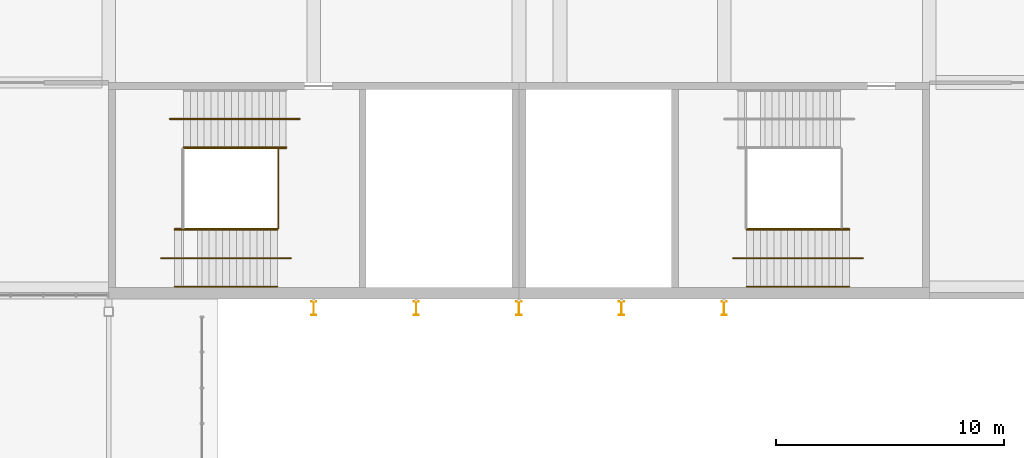
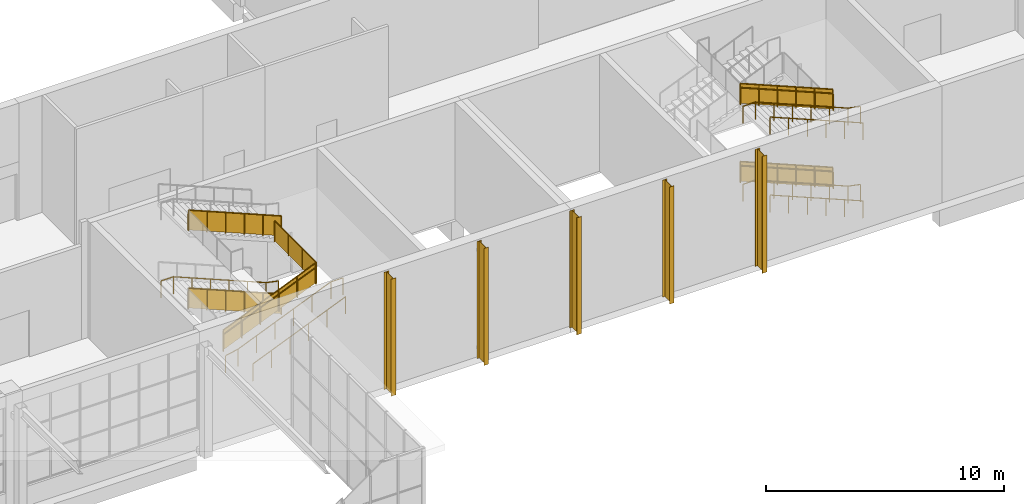
# One storey, part 73 of 89: 18 railings, 5 shading devices.
"""IFC4 building model written with IfcOpenShell, lengths in metres."""

from ifc_helpers import new_model, si_unit, direction, frame, origin, origin_2d, place, context, subcontext, project, spatial, polyline, circle, i_section, outline, extrude, material, material_profile, profile_set, type_object, element, save


model = new_model("IFC4")

# Units and contexts
model_context = context("Model", 3, precision=1e-05, world=origin(), true_north=direction((0.0, 1.0)))
body_context = subcontext(model_context, "Body", "Model", "MODEL_VIEW")
ifc_project = project(units=[si_unit("LENGTHUNIT", "METRE"), si_unit("AREAUNIT", "SQUARE_METRE"), si_unit("VOLUMEUNIT", "CUBIC_METRE"), si_unit("PLANEANGLEUNIT", "RADIAN"), si_unit("MASSUNIT", "GRAM", prefix="KILO")], contexts=[model_context])

# Site, building, storey
site_placement = place(None, origin())
site = spatial("IfcSite", under=ifc_project, at=site_placement, CompositionType="ELEMENT")
building_placement = place(site_placement, origin())
building = spatial("IfcBuilding", under=site, at=building_placement, Name="Silverbay Arena", CompositionType="ELEMENT")
storey_placement = place(building_placement, frame((0.0, 0.0, 22.0)))
storey = spatial("IfcBuildingStorey", under=building, at=storey_placement, Name="L03", CompositionType="ELEMENT", Elevation=22.0)

# Railings
ifc_material_1 = material(Name="Stainless steel", Category="steel")
railing_type_1 = type_object("IfcRailingType", Name="Stair guard 1100", PredefinedType="GUARDRAIL", material=ifc_material_1)
railing_1_placement = place(storey_placement, frame((151.7900390625, 24.125, 0.125)))
element("IfcRailing", 1, at=railing_1_placement, inside=storey, type_object=railing_type_1, Name="Stair ST-S3 L03 to L04 flight 1 guard right", PredefinedType="GUARDRAIL", context=body_context, shape_type="SweptSolid", body=[
    extrude(circle(Radius=0.02392578125, at=origin_2d()), frame((0.0, 0.0, 1.076171875), z_axis=(-0.923076923077, 0.0, 0.384615384615), x_axis=(0.0, -1.0, 0.0)), (0.0, 0.0, 1.0), 4.875),
    extrude(outline(polyline([(-0.008056640625, 0.046630859375), (0.907958984375, 0.42822265625), (0.907958984375, 1.431396484375), (-0.008056640625, 1.049560546875), (-0.008056640625, 0.046630859375)])), frame((0.0, -0.0029296875, 0.0), z_axis=(0.0, 1.0, 0.0), x_axis=(-1.0, 0.0, 0.0)), (0.0, 0.0, 1.0), 0.006103515625),
    extrude(outline(polyline([(-0.008056640625, 0.421630859375), (0.907958984375, 0.80322265625), (0.907958984375, 1.806396484375), (-0.008056640625, 1.424560546875), (-0.008056640625, 0.421630859375)])), frame((-0.89990234375, -0.0029296875, 0.0), z_axis=(0.0, 1.0, 0.0), x_axis=(-1.0, 0.0, 0.0)), (0.0, 0.0, 1.0), 0.006103515625),
    extrude(outline(polyline([(-0.008056640625, 0.796630859375), (0.907958984375, 1.17822265625), (0.907958984375, 2.181396484375), (-0.008056640625, 1.799560546875), (-0.008056640625, 0.796630859375)])), frame((-1.800048828125, -0.0029296875, 0.0), z_axis=(0.0, 1.0, 0.0), x_axis=(-1.0, 0.0, 0.0)), (0.0, 0.0, 1.0), 0.006103515625),
    extrude(outline(polyline([(-0.008056640625, 1.171630859375), (0.907958984375, 1.55322265625), (0.907958984375, 2.556396484375), (-0.008056640625, 2.174560546875), (-0.008056640625, 1.171630859375)])), frame((-2.699951171875, -0.0029296875, 0.0), z_axis=(0.0, 1.0, 0.0), x_axis=(-1.0, 0.0, 0.0)), (0.0, 0.0, 1.0), 0.006103515625),
    extrude(outline(polyline([(-0.008056640625, 1.546630859375), (0.907958984375, 1.92822265625), (0.907958984375, 2.931396484375), (-0.008056640625, 2.549560546875), (-0.008056640625, 1.546630859375)])), frame((-3.60009765625, -0.0029296875, 0.0), z_axis=(0.0, 1.0, 0.0), x_axis=(-1.0, 0.0, 0.0)), (0.0, 0.0, 1.0), 0.006103515625),
    extrude(circle(Radius=0.02099609375, at=origin_2d()), origin(), (0.0, 0.0, 1.0), 1.052001953125),
    extrude(circle(Radius=0.02099609375, at=origin_2d()), frame((-0.89990234375, 0.0, 0.375)), (0.0, 0.0, 1.0), 1.052001953125),
    extrude(circle(Radius=0.02099609375, at=origin_2d()), frame((-1.800048828125, 0.0, 0.75)), (0.0, 0.0, 1.0), 1.052001953125),
    extrude(circle(Radius=0.02099609375, at=origin_2d()), frame((-2.699951171875, 0.0, 1.125)), (0.0, 0.0, 1.0), 1.052001953125),
    extrude(circle(Radius=0.02099609375, at=origin_2d()), frame((-3.60009765625, 0.0, 1.5)), (0.0, 0.0, 1.0), 1.052001953125),
    extrude(circle(Radius=0.02099609375, at=origin_2d()), frame((-4.5, 0.0, 1.875)), (0.0, 0.0, 1.0), 1.052001953125),
])
railing_2_placement = place(storey_placement, frame((146.89990234375, 20.574951171875, 2.125)))
element("IfcRailing", 2, at=railing_2_placement, inside=storey, type_object=railing_type_1, Name="Stair ST-S3 L03 to L04 flight 2 guard left", PredefinedType="GUARDRAIL", context=body_context, shape_type="SweptSolid", body=[
    extrude(circle(Radius=0.02392578125, at=origin_2d()), frame((0.0, 0.0, 1.076171875), z_axis=(0.923076923077, 0.0, 0.384615384615), x_axis=(0.0, 1.0, 0.0)), (0.0, 0.0, 1.0), 4.875),
    extrude(outline(polyline([(-0.008056640625, 0.046630859375), (0.907958984375, 0.42822265625), (0.907958984375, 1.431396484375), (-0.008056640625, 1.049560546875), (-0.008056640625, 0.046630859375)])), frame((0.0, 0.0029296875, 0.0), z_axis=(0.0, -1.0, 0.0), x_axis=(1.0, 0.0, 0.0)), (0.0, 0.0, 1.0), 0.006103515625),
    extrude(outline(polyline([(-0.008056640625, 0.421630859375), (0.907958984375, 0.80322265625), (0.907958984375, 1.806396484375), (-0.008056640625, 1.424560546875), (-0.008056640625, 0.421630859375)])), frame((0.89990234375, 0.0029296875, 0.0), z_axis=(0.0, -1.0, 0.0), x_axis=(1.0, 0.0, 0.0)), (0.0, 0.0, 1.0), 0.006103515625),
    extrude(outline(polyline([(-0.008056640625, 0.796630859375), (0.907958984375, 1.17822265625), (0.907958984375, 2.181396484375), (-0.008056640625, 1.799560546875), (-0.008056640625, 0.796630859375)])), frame((1.800048828125, 0.0029296875, 0.0), z_axis=(0.0, -1.0, 0.0), x_axis=(1.0, 0.0, 0.0)), (0.0, 0.0, 1.0), 0.006103515625),
    extrude(outline(polyline([(-0.008056640625, 1.171630859375), (0.907958984375, 1.55322265625), (0.907958984375, 2.556396484375), (-0.008056640625, 2.174560546875), (-0.008056640625, 1.171630859375)])), frame((2.699951171875, 0.0029296875, 0.0), z_axis=(0.0, -1.0, 0.0), x_axis=(1.0, 0.0, 0.0)), (0.0, 0.0, 1.0), 0.006103515625),
    extrude(outline(polyline([(-0.008056640625, 1.546630859375), (0.907958984375, 1.92822265625), (0.907958984375, 2.931396484375), (-0.008056640625, 2.549560546875), (-0.008056640625, 1.546630859375)])), frame((3.60009765625, 0.0029296875, 0.0), z_axis=(0.0, -1.0, 0.0), x_axis=(1.0, 0.0, 0.0)), (0.0, 0.0, 1.0), 0.006103515625),
    extrude(circle(Radius=0.02099609375, at=origin_2d()), origin(), (0.0, 0.0, 1.0), 1.052001953125),
    extrude(circle(Radius=0.02099609375, at=origin_2d()), frame((0.89990234375, 0.0, 0.375)), (0.0, 0.0, 1.0), 1.052001953125),
    extrude(circle(Radius=0.02099609375, at=origin_2d()), frame((1.800048828125, 0.0, 0.75)), (0.0, 0.0, 1.0), 1.052001953125),
    extrude(circle(Radius=0.02099609375, at=origin_2d()), frame((2.699951171875, 0.0, 1.125)), (0.0, 0.0, 1.0), 1.052001953125),
    extrude(circle(Radius=0.02099609375, at=origin_2d()), frame((3.60009765625, 0.0, 1.5)), (0.0, 0.0, 1.0), 1.052001953125),
    extrude(circle(Radius=0.02099609375, at=origin_2d()), frame((4.5, 0.0, 1.875)), (0.0, 0.0, 1.0), 1.052001953125),
])
railing_3_placement = place(storey_placement, frame((151.7900390625, 24.125, 4.125)))
element("IfcRailing", 3, at=railing_3_placement, inside=storey, type_object=railing_type_1, Name="Stair ST-S3 L03 to L04 flight 3 guard right", PredefinedType="GUARDRAIL", context=body_context, shape_type="SweptSolid", body=[
    extrude(circle(Radius=0.02392578125, at=origin_2d()), frame((0.0, 0.0, 1.076171875), z_axis=(-0.923076923077, 0.0, 0.384615384615), x_axis=(0.0, -1.0, 0.0)), (0.0, 0.0, 1.0), 4.875),
    extrude(outline(polyline([(-0.008056640625, 0.046630859375), (0.907958984375, 0.42822265625), (0.907958984375, 1.431396484375), (-0.008056640625, 1.049560546875), (-0.008056640625, 0.046630859375)])), frame((0.0, -0.0029296875, 0.0), z_axis=(0.0, 1.0, 0.0), x_axis=(-1.0, 0.0, 0.0)), (0.0, 0.0, 1.0), 0.006103515625),
    extrude(outline(polyline([(-0.008056640625, 0.421630859375), (0.907958984375, 0.80322265625), (0.907958984375, 1.806396484375), (-0.008056640625, 1.424560546875), (-0.008056640625, 0.421630859375)])), frame((-0.89990234375, -0.0029296875, 0.0), z_axis=(0.0, 1.0, 0.0), x_axis=(-1.0, 0.0, 0.0)), (0.0, 0.0, 1.0), 0.006103515625),
    extrude(outline(polyline([(-0.008056640625, 0.796630859375), (0.907958984375, 1.17822265625), (0.907958984375, 2.181396484375), (-0.008056640625, 1.799560546875), (-0.008056640625, 0.796630859375)])), frame((-1.800048828125, -0.0029296875, 0.0), z_axis=(0.0, 1.0, 0.0), x_axis=(-1.0, 0.0, 0.0)), (0.0, 0.0, 1.0), 0.006103515625),
    extrude(outline(polyline([(-0.008056640625, 1.171630859375), (0.907958984375, 1.55322265625), (0.907958984375, 2.556396484375), (-0.008056640625, 2.174560546875), (-0.008056640625, 1.171630859375)])), frame((-2.699951171875, -0.0029296875, 0.0), z_axis=(0.0, 1.0, 0.0), x_axis=(-1.0, 0.0, 0.0)), (0.0, 0.0, 1.0), 0.006103515625),
    extrude(outline(polyline([(-0.008056640625, 1.546630859375), (0.907958984375, 1.92822265625), (0.907958984375, 2.931396484375), (-0.008056640625, 2.549560546875), (-0.008056640625, 1.546630859375)])), frame((-3.60009765625, -0.0029296875, 0.0), z_axis=(0.0, 1.0, 0.0), x_axis=(-1.0, 0.0, 0.0)), (0.0, 0.0, 1.0), 0.006103515625),
    extrude(circle(Radius=0.02099609375, at=origin_2d()), origin(), (0.0, 0.0, 1.0), 1.052001953125),
    extrude(circle(Radius=0.02099609375, at=origin_2d()), frame((-0.89990234375, 0.0, 0.375)), (0.0, 0.0, 1.0), 1.052001953125),
    extrude(circle(Radius=0.02099609375, at=origin_2d()), frame((-1.800048828125, 0.0, 0.75)), (0.0, 0.0, 1.0), 1.052001953125),
    extrude(circle(Radius=0.02099609375, at=origin_2d()), frame((-2.699951171875, 0.0, 1.125)), (0.0, 0.0, 1.0), 1.052001953125),
    extrude(circle(Radius=0.02099609375, at=origin_2d()), frame((-3.60009765625, 0.0, 1.5)), (0.0, 0.0, 1.0), 1.052001953125),
    extrude(circle(Radius=0.02099609375, at=origin_2d()), frame((-4.5, 0.0, 1.875)), (0.0, 0.0, 1.0), 1.052001953125),
])
railing_4_placement = place(storey_placement, frame((151.449951171875, 24.10009765625, 4.0)))
element("IfcRailing", 4, at=railing_4_placement, inside=storey, type_object=railing_type_1, Name="Stair ST-S3 L03 to L04 landing 2 guard", PredefinedType="GUARDRAIL", context=body_context, shape_type="SweptSolid", body=[
    extrude(circle(Radius=0.02392578125, at=origin_2d()), frame((0.0, 0.0, 1.076171875), z_axis=(0.0, -1.0, 0.0), x_axis=(1.0, 0.0, 0.0)), (0.0, 0.0, 1.0), 3.5),
    extrude(outline(polyline([(-0.008056640625, 0.050048828125), (1.174560546875, 0.050048828125), (1.174560546875, 1.052978515625), (-0.008056640625, 1.052978515625), (-0.008056640625, 0.050048828125)])), frame((0.0029296875, 0.0, 0.0), z_axis=(-1.0, 0.0, 0.0), x_axis=(0.0, -1.0, 0.0)), (0.0, 0.0, 1.0), 0.006103515625),
    extrude(outline(polyline([(-0.008056640625, 0.050048828125), (1.174560546875, 0.050048828125), (1.174560546875, 1.052978515625), (-0.008056640625, 1.052978515625), (-0.008056640625, 0.050048828125)])), frame((0.0029296875, -1.166748046875, 0.0), z_axis=(-1.0, 0.0, 0.0), x_axis=(0.0, -1.0, 0.0)), (0.0, 0.0, 1.0), 0.006103515625),
    extrude(outline(polyline([(-0.008056640625, 0.050048828125), (1.174560546875, 0.050048828125), (1.174560546875, 1.052978515625), (-0.008056640625, 1.052978515625), (-0.008056640625, 0.050048828125)])), frame((0.0029296875, -2.333251953125, 0.0), z_axis=(-1.0, 0.0, 0.0), x_axis=(0.0, -1.0, 0.0)), (0.0, 0.0, 1.0), 0.006103515625),
    extrude(circle(Radius=0.02099609375, at=origin_2d()), origin(), (0.0, 0.0, 1.0), 1.052001953125),
    extrude(circle(Radius=0.02099609375, at=origin_2d()), frame((0.0, -1.166748046875, 0.0)), (0.0, 0.0, 1.0), 1.052001953125),
    extrude(circle(Radius=0.02099609375, at=origin_2d()), frame((0.0, -2.333251953125, 0.0)), (0.0, 0.0, 1.0), 1.052001953125),
    extrude(circle(Radius=0.02099609375, at=origin_2d()), frame((0.0, -3.5, 0.0)), (0.0, 0.0, 1.0), 1.052001953125),
])
railing_5_placement = place(storey_placement, frame((176.489990234375, 20.574951171875, 0.125)))
element("IfcRailing", 5, at=railing_5_placement, inside=storey, type_object=railing_type_1, Name="Stair ST-S4 L03 to L04 flight 1 guard left", PredefinedType="GUARDRAIL", context=body_context, shape_type="SweptSolid", body=[
    extrude(circle(Radius=0.02392578125, at=origin_2d()), frame((0.0, 0.0, 1.076171875), z_axis=(-0.923076923077, 0.0, 0.384615384615), x_axis=(0.0, -1.0, 0.0)), (0.0, 0.0, 1.0), 4.875),
    extrude(outline(polyline([(-0.008056640625, 0.046630859375), (0.907958984375, 0.42822265625), (0.907958984375, 1.431396484375), (-0.008056640625, 1.049560546875), (-0.008056640625, 0.046630859375)])), frame((0.0, -0.0029296875, 0.0), z_axis=(0.0, 1.0, 0.0), x_axis=(-1.0, 0.0, 0.0)), (0.0, 0.0, 1.0), 0.006103515625),
    extrude(outline(polyline([(-0.008056640625, 0.421630859375), (0.907958984375, 0.80322265625), (0.907958984375, 1.806396484375), (-0.008056640625, 1.424560546875), (-0.008056640625, 0.421630859375)])), frame((-0.89990234375, -0.0029296875, 0.0), z_axis=(0.0, 1.0, 0.0), x_axis=(-1.0, 0.0, 0.0)), (0.0, 0.0, 1.0), 0.006103515625),
    extrude(outline(polyline([(-0.008056640625, 0.796630859375), (0.907958984375, 1.17822265625), (0.907958984375, 2.181396484375), (-0.008056640625, 1.799560546875), (-0.008056640625, 0.796630859375)])), frame((-1.800048828125, -0.0029296875, 0.0), z_axis=(0.0, 1.0, 0.0), x_axis=(-1.0, 0.0, 0.0)), (0.0, 0.0, 1.0), 0.006103515625),
    extrude(outline(polyline([(-0.008056640625, 1.171630859375), (0.907958984375, 1.55322265625), (0.907958984375, 2.556396484375), (-0.008056640625, 2.174560546875), (-0.008056640625, 1.171630859375)])), frame((-2.699951171875, -0.0029296875, 0.0), z_axis=(0.0, 1.0, 0.0), x_axis=(-1.0, 0.0, 0.0)), (0.0, 0.0, 1.0), 0.006103515625),
    extrude(outline(polyline([(-0.008056640625, 1.546630859375), (0.907958984375, 1.92822265625), (0.907958984375, 2.931396484375), (-0.008056640625, 2.549560546875), (-0.008056640625, 1.546630859375)])), frame((-3.60009765625, -0.0029296875, 0.0), z_axis=(0.0, 1.0, 0.0), x_axis=(-1.0, 0.0, 0.0)), (0.0, 0.0, 1.0), 0.006103515625),
    extrude(circle(Radius=0.02099609375, at=origin_2d()), origin(), (0.0, 0.0, 1.0), 1.052001953125),
    extrude(circle(Radius=0.02099609375, at=origin_2d()), frame((-0.89990234375, 0.0, 0.375)), (0.0, 0.0, 1.0), 1.052001953125),
    extrude(circle(Radius=0.02099609375, at=origin_2d()), frame((-1.800048828125, 0.0, 0.75)), (0.0, 0.0, 1.0), 1.052001953125),
    extrude(circle(Radius=0.02099609375, at=origin_2d()), frame((-2.699951171875, 0.0, 1.125)), (0.0, 0.0, 1.0), 1.052001953125),
    extrude(circle(Radius=0.02099609375, at=origin_2d()), frame((-3.60009765625, 0.0, 1.5)), (0.0, 0.0, 1.0), 1.052001953125),
    extrude(circle(Radius=0.02099609375, at=origin_2d()), frame((-4.5, 0.0, 1.875)), (0.0, 0.0, 1.0), 1.052001953125),
])
railing_6_placement = place(storey_placement, frame((176.489990234375, 20.574951171875, 4.125)))
element("IfcRailing", 6, at=railing_6_placement, inside=storey, type_object=railing_type_1, Name="Stair ST-S4 L03 to L04 flight 3 guard left", PredefinedType="GUARDRAIL", context=body_context, shape_type="SweptSolid", body=[
    extrude(circle(Radius=0.02392578125, at=origin_2d()), frame((0.0, 0.0, 1.076171875), z_axis=(-0.923076923077, 0.0, 0.384615384615), x_axis=(0.0, -1.0, 0.0)), (0.0, 0.0, 1.0), 4.875),
    extrude(outline(polyline([(-0.008056640625, 0.046630859375), (0.907958984375, 0.42822265625), (0.907958984375, 1.431396484375), (-0.008056640625, 1.049560546875), (-0.008056640625, 0.046630859375)])), frame((0.0, -0.0029296875, 0.0), z_axis=(0.0, 1.0, 0.0), x_axis=(-1.0, 0.0, 0.0)), (0.0, 0.0, 1.0), 0.006103515625),
    extrude(outline(polyline([(-0.008056640625, 0.421630859375), (0.907958984375, 0.80322265625), (0.907958984375, 1.806396484375), (-0.008056640625, 1.424560546875), (-0.008056640625, 0.421630859375)])), frame((-0.89990234375, -0.0029296875, 0.0), z_axis=(0.0, 1.0, 0.0), x_axis=(-1.0, 0.0, 0.0)), (0.0, 0.0, 1.0), 0.006103515625),
    extrude(outline(polyline([(-0.008056640625, 0.796630859375), (0.907958984375, 1.17822265625), (0.907958984375, 2.181396484375), (-0.008056640625, 1.799560546875), (-0.008056640625, 0.796630859375)])), frame((-1.800048828125, -0.0029296875, 0.0), z_axis=(0.0, 1.0, 0.0), x_axis=(-1.0, 0.0, 0.0)), (0.0, 0.0, 1.0), 0.006103515625),
    extrude(outline(polyline([(-0.008056640625, 1.171630859375), (0.907958984375, 1.55322265625), (0.907958984375, 2.556396484375), (-0.008056640625, 2.174560546875), (-0.008056640625, 1.171630859375)])), frame((-2.699951171875, -0.0029296875, 0.0), z_axis=(0.0, 1.0, 0.0), x_axis=(-1.0, 0.0, 0.0)), (0.0, 0.0, 1.0), 0.006103515625),
    extrude(outline(polyline([(-0.008056640625, 1.546630859375), (0.907958984375, 1.92822265625), (0.907958984375, 2.931396484375), (-0.008056640625, 2.549560546875), (-0.008056640625, 1.546630859375)])), frame((-3.60009765625, -0.0029296875, 0.0), z_axis=(0.0, 1.0, 0.0), x_axis=(-1.0, 0.0, 0.0)), (0.0, 0.0, 1.0), 0.006103515625),
    extrude(circle(Radius=0.02099609375, at=origin_2d()), origin(), (0.0, 0.0, 1.0), 1.052001953125),
    extrude(circle(Radius=0.02099609375, at=origin_2d()), frame((-0.89990234375, 0.0, 0.375)), (0.0, 0.0, 1.0), 1.052001953125),
    extrude(circle(Radius=0.02099609375, at=origin_2d()), frame((-1.800048828125, 0.0, 0.75)), (0.0, 0.0, 1.0), 1.052001953125),
    extrude(circle(Radius=0.02099609375, at=origin_2d()), frame((-2.699951171875, 0.0, 1.125)), (0.0, 0.0, 1.0), 1.052001953125),
    extrude(circle(Radius=0.02099609375, at=origin_2d()), frame((-3.60009765625, 0.0, 1.5)), (0.0, 0.0, 1.0), 1.052001953125),
    extrude(circle(Radius=0.02099609375, at=origin_2d()), frame((-4.5, 0.0, 1.875)), (0.0, 0.0, 1.0), 1.052001953125),
])
ifc_material_2 = material(Name="Stainless steel", Category="steel")
railing_type_2 = type_object("IfcRailingType", Name="Stair handrail 900", PredefinedType="HANDRAIL", material=ifc_material_2)
railing_7_placement = place(storey_placement, frame((151.7900390625, 24.1640625, 0.125)))
element("IfcRailing", 7, at=railing_7_placement, inside=storey, type_object=railing_type_2, Name="Stair ST-S3 L03 to L04 flight 1 handrail right", PredefinedType="HANDRAIL", context=body_context, shape_type="SweptSolid", body=[
    extrude(circle(Radius=0.02392578125, at=origin_2d()), frame((0.0, 0.0, 0.8759765625), z_axis=(-0.923076923077, 0.0, 0.384615384615), x_axis=(0.0, -1.0, 0.0)), (0.0, 0.0, 1.0), 4.875),
    extrude(circle(Radius=0.02099609375, at=origin_2d()), origin(), (0.0, 0.0, 1.0), 0.851806640625),
    extrude(circle(Radius=0.02099609375, at=origin_2d()), frame((-0.89990234375, 0.0, 0.375)), (0.0, 0.0, 1.0), 0.851806640625),
    extrude(circle(Radius=0.02099609375, at=origin_2d()), frame((-1.800048828125, 0.0, 0.75)), (0.0, 0.0, 1.0), 0.851806640625),
    extrude(circle(Radius=0.02099609375, at=origin_2d()), frame((-2.699951171875, 0.0, 1.125)), (0.0, 0.0, 1.0), 0.851806640625),
    extrude(circle(Radius=0.02099609375, at=origin_2d()), frame((-3.60009765625, 0.0, 1.5)), (0.0, 0.0, 1.0), 0.851806640625),
    extrude(circle(Radius=0.02099609375, at=origin_2d()), frame((-4.5, 0.0, 1.875)), (0.0, 0.0, 1.0), 0.851806640625),
])
railing_8_placement = place(storey_placement, frame((152.389892578125, 25.39990234375, 0.0)))
element("IfcRailing", 8, at=railing_8_placement, inside=storey, type_object=railing_type_2, Name="Stair ST-S3 L03 to L04 flight 1 central handrail", PredefinedType="HANDRAIL", context=body_context, shape_type="SweptSolid", body=[
    extrude(circle(Radius=0.02392578125, at=origin_2d()), frame((0.0, 0.0, 0.8759765625), z_axis=(-0.978970474113, 0.0, 0.20400198728), x_axis=(0.0, -1.0, 0.0)), (0.0, 0.0, 1.0), 0.61279296875),
    extrude(circle(Radius=0.02392578125, at=origin_2d()), frame((-0.599853515625, 0.0, 1.0009765625), z_axis=(-0.923076923077, 0.0, 0.384615384615), x_axis=(0.0, -1.0, 0.0)), (0.0, 0.0, 1.0), 4.875),
    extrude(circle(Radius=0.02392578125, at=origin_2d()), frame((-5.099853515625, 0.0, 2.8759765625), z_axis=(-1.0, 0.0, 0.0), x_axis=(0.0, -1.0, 0.0)), (0.0, 0.0, 1.0), 0.60009765625),
    extrude(circle(Radius=0.02099609375, at=origin_2d()), origin(), (0.0, 0.0, 1.0), 0.851806640625),
    extrude(circle(Radius=0.02099609375, at=origin_2d()), frame((-0.599853515625, 0.0, 0.125)), (0.0, 0.0, 1.0), 0.851806640625),
    extrude(circle(Radius=0.02099609375, at=origin_2d()), frame((-1.499755859375, 0.0, 0.5)), (0.0, 0.0, 1.0), 0.851806640625),
    extrude(circle(Radius=0.02099609375, at=origin_2d()), frame((-2.39990234375, 0.0, 0.875)), (0.0, 0.0, 1.0), 0.851806640625),
    extrude(circle(Radius=0.02099609375, at=origin_2d()), frame((-3.2998046875, 0.0, 1.25)), (0.0, 0.0, 1.0), 0.851806640625),
    extrude(circle(Radius=0.02099609375, at=origin_2d()), frame((-4.199951171875, 0.0, 1.625)), (0.0, 0.0, 1.0), 0.851806640625),
    extrude(circle(Radius=0.02099609375, at=origin_2d()), frame((-5.099853515625, 0.0, 2.0)), (0.0, 0.0, 1.0), 0.851806640625),
    extrude(circle(Radius=0.02099609375, at=origin_2d()), frame((-5.699951171875, 0.0, 2.0)), (0.0, 0.0, 1.0), 0.851806640625),
])
for number, where, name in (
    (9, (146.89990234375, 20.535888671875, 2.125), "Stair ST-S3 L03 to L04 flight 2 handrail left"),
    (10, (146.89990234375, 18.050048828125, 2.125), "Stair ST-S3 L03 to L04 flight 2 handrail right"),
):
    element("IfcRailing", number, at=place(storey_placement, frame(where)), inside=storey, type_object=railing_type_2, Name=name, PredefinedType="HANDRAIL", context=body_context, shape_type="SweptSolid", body=[
        extrude(circle(Radius=0.02392578125, at=origin_2d()), frame((0.0, 0.0, 0.8759765625), z_axis=(0.923076923077, 0.0, 0.384615384615), x_axis=(0.0, 1.0, 0.0)), (0.0, 0.0, 1.0), 4.875),
        extrude(circle(Radius=0.02099609375, at=origin_2d()), origin(), (0.0, 0.0, 1.0), 0.851806640625),
        extrude(circle(Radius=0.02099609375, at=origin_2d()), frame((0.89990234375, 0.0, 0.375)), (0.0, 0.0, 1.0), 0.851806640625),
        extrude(circle(Radius=0.02099609375, at=origin_2d()), frame((1.800048828125, 0.0, 0.75)), (0.0, 0.0, 1.0), 0.851806640625),
        extrude(circle(Radius=0.02099609375, at=origin_2d()), frame((2.699951171875, 0.0, 1.125)), (0.0, 0.0, 1.0), 0.851806640625),
        extrude(circle(Radius=0.02099609375, at=origin_2d()), frame((3.60009765625, 0.0, 1.5)), (0.0, 0.0, 1.0), 0.851806640625),
        extrude(circle(Radius=0.02099609375, at=origin_2d()), frame((4.5, 0.0, 1.875)), (0.0, 0.0, 1.0), 0.851806640625),
    ])
railing_9_placement = place(storey_placement, frame((146.300048828125, 19.300048828125, 2.0)))
element("IfcRailing", 11, at=railing_9_placement, inside=storey, type_object=railing_type_2, Name="Stair ST-S3 L03 to L04 flight 2 central handrail", PredefinedType="HANDRAIL", context=body_context, shape_type="SweptSolid", body=[
    extrude(circle(Radius=0.02392578125, at=origin_2d()), frame((0.0, 0.0, 0.8759765625), z_axis=(0.978970474113, 0.0, 0.20400198728), x_axis=(0.0, 1.0, 0.0)), (0.0, 0.0, 1.0), 0.61279296875),
    extrude(circle(Radius=0.02392578125, at=origin_2d()), frame((0.599853515625, 0.0, 1.0009765625), z_axis=(0.923076923077, 0.0, 0.384615384615), x_axis=(0.0, 1.0, 0.0)), (0.0, 0.0, 1.0), 4.875),
    extrude(circle(Radius=0.02392578125, at=origin_2d()), frame((5.099853515625, 0.0, 2.8759765625), z_axis=(1.0, 0.0, 0.0), x_axis=(0.0, 1.0, 0.0)), (0.0, 0.0, 1.0), 0.60009765625),
    extrude(circle(Radius=0.02099609375, at=origin_2d()), origin(), (0.0, 0.0, 1.0), 0.851806640625),
    extrude(circle(Radius=0.02099609375, at=origin_2d()), frame((0.599853515625, 0.0, 0.125)), (0.0, 0.0, 1.0), 0.851806640625),
    extrude(circle(Radius=0.02099609375, at=origin_2d()), frame((1.499755859375, 0.0, 0.5)), (0.0, 0.0, 1.0), 0.851806640625),
    extrude(circle(Radius=0.02099609375, at=origin_2d()), frame((2.39990234375, 0.0, 0.875)), (0.0, 0.0, 1.0), 0.851806640625),
    extrude(circle(Radius=0.02099609375, at=origin_2d()), frame((3.2998046875, 0.0, 1.25)), (0.0, 0.0, 1.0), 0.851806640625),
    extrude(circle(Radius=0.02099609375, at=origin_2d()), frame((4.199951171875, 0.0, 1.625)), (0.0, 0.0, 1.0), 0.851806640625),
    extrude(circle(Radius=0.02099609375, at=origin_2d()), frame((5.099853515625, 0.0, 2.0)), (0.0, 0.0, 1.0), 0.851806640625),
    extrude(circle(Radius=0.02099609375, at=origin_2d()), frame((5.699951171875, 0.0, 2.0)), (0.0, 0.0, 1.0), 0.851806640625),
])
for number, where, name in (
    (12, (151.7900390625, 24.1640625, 4.125), "Stair ST-S3 L03 to L04 flight 3 handrail right"),
    (13, (176.489990234375, 20.535888671875, 0.125), "Stair ST-S4 L03 to L04 flight 1 handrail left"),
    (14, (176.489990234375, 18.050048828125, 0.125), "Stair ST-S4 L03 to L04 flight 1 handrail right"),
):
    element("IfcRailing", number, at=place(storey_placement, frame(where)), inside=storey, type_object=railing_type_2, Name=name, PredefinedType="HANDRAIL", context=body_context, shape_type="SweptSolid", body=[
        extrude(circle(Radius=0.02392578125, at=origin_2d()), frame((0.0, 0.0, 0.8759765625), z_axis=(-0.923076923077, 0.0, 0.384615384615), x_axis=(0.0, -1.0, 0.0)), (0.0, 0.0, 1.0), 4.875),
        extrude(circle(Radius=0.02099609375, at=origin_2d()), origin(), (0.0, 0.0, 1.0), 0.851806640625),
        extrude(circle(Radius=0.02099609375, at=origin_2d()), frame((-0.89990234375, 0.0, 0.375)), (0.0, 0.0, 1.0), 0.851806640625),
        extrude(circle(Radius=0.02099609375, at=origin_2d()), frame((-1.800048828125, 0.0, 0.75)), (0.0, 0.0, 1.0), 0.851806640625),
        extrude(circle(Radius=0.02099609375, at=origin_2d()), frame((-2.699951171875, 0.0, 1.125)), (0.0, 0.0, 1.0), 0.851806640625),
        extrude(circle(Radius=0.02099609375, at=origin_2d()), frame((-3.60009765625, 0.0, 1.5)), (0.0, 0.0, 1.0), 0.851806640625),
        extrude(circle(Radius=0.02099609375, at=origin_2d()), frame((-4.5, 0.0, 1.875)), (0.0, 0.0, 1.0), 0.851806640625),
    ])
railing_10_placement = place(storey_placement, frame((177.090087890625, 19.300048828125, 0.0)))
element("IfcRailing", 15, at=railing_10_placement, inside=storey, type_object=railing_type_2, Name="Stair ST-S4 L03 to L04 flight 1 central handrail", PredefinedType="HANDRAIL", context=body_context, shape_type="SweptSolid", body=[
    extrude(circle(Radius=0.02392578125, at=origin_2d()), frame((0.0, 0.0, 0.8759765625), z_axis=(-0.978987046276, 0.0, 0.203922444139), x_axis=(0.0, -1.0, 0.0)), (0.0, 0.0, 1.0), 0.613037109375),
    extrude(circle(Radius=0.02392578125, at=origin_2d()), frame((-0.60009765625, 0.0, 1.0009765625), z_axis=(-0.923076923077, 0.0, 0.384615384615), x_axis=(0.0, -1.0, 0.0)), (0.0, 0.0, 1.0), 4.875),
    extrude(circle(Radius=0.02392578125, at=origin_2d()), frame((-5.10009765625, 0.0, 2.8759765625), z_axis=(-1.0, 0.0, 0.0), x_axis=(0.0, -1.0, 0.0)), (0.0, 0.0, 1.0), 0.60009765625),
    extrude(circle(Radius=0.02099609375, at=origin_2d()), origin(), (0.0, 0.0, 1.0), 0.851806640625),
    extrude(circle(Radius=0.02099609375, at=origin_2d()), frame((-0.60009765625, 0.0, 0.125)), (0.0, 0.0, 1.0), 0.851806640625),
    extrude(circle(Radius=0.02099609375, at=origin_2d()), frame((-1.5, 0.0, 0.5)), (0.0, 0.0, 1.0), 0.851806640625),
    extrude(circle(Radius=0.02099609375, at=origin_2d()), frame((-2.400146484375, 0.0, 0.875)), (0.0, 0.0, 1.0), 0.851806640625),
    extrude(circle(Radius=0.02099609375, at=origin_2d()), frame((-3.300048828125, 0.0, 1.25)), (0.0, 0.0, 1.0), 0.851806640625),
    extrude(circle(Radius=0.02099609375, at=origin_2d()), frame((-4.2001953125, 0.0, 1.625)), (0.0, 0.0, 1.0), 0.851806640625),
    extrude(circle(Radius=0.02099609375, at=origin_2d()), frame((-5.10009765625, 0.0, 2.0)), (0.0, 0.0, 1.0), 0.851806640625),
    extrude(circle(Radius=0.02099609375, at=origin_2d()), frame((-5.7001953125, 0.0, 2.0)), (0.0, 0.0, 1.0), 0.851806640625),
])
for number, where, name in (
    (16, (176.489990234375, 20.535888671875, 4.125), "Stair ST-S4 L03 to L04 flight 3 handrail left"),
    (17, (176.489990234375, 18.050048828125, 4.125), "Stair ST-S4 L03 to L04 flight 3 handrail right"),
):
    element("IfcRailing", number, at=place(storey_placement, frame(where)), inside=storey, type_object=railing_type_2, Name=name, PredefinedType="HANDRAIL", context=body_context, shape_type="SweptSolid", body=[
        extrude(circle(Radius=0.02392578125, at=origin_2d()), frame((0.0, 0.0, 0.8759765625), z_axis=(-0.923076923077, 0.0, 0.384615384615), x_axis=(0.0, -1.0, 0.0)), (0.0, 0.0, 1.0), 4.875),
        extrude(circle(Radius=0.02099609375, at=origin_2d()), origin(), (0.0, 0.0, 1.0), 0.851806640625),
        extrude(circle(Radius=0.02099609375, at=origin_2d()), frame((-0.89990234375, 0.0, 0.375)), (0.0, 0.0, 1.0), 0.851806640625),
        extrude(circle(Radius=0.02099609375, at=origin_2d()), frame((-1.800048828125, 0.0, 0.75)), (0.0, 0.0, 1.0), 0.851806640625),
        extrude(circle(Radius=0.02099609375, at=origin_2d()), frame((-2.699951171875, 0.0, 1.125)), (0.0, 0.0, 1.0), 0.851806640625),
        extrude(circle(Radius=0.02099609375, at=origin_2d()), frame((-3.60009765625, 0.0, 1.5)), (0.0, 0.0, 1.0), 0.851806640625),
        extrude(circle(Radius=0.02099609375, at=origin_2d()), frame((-4.5, 0.0, 1.875)), (0.0, 0.0, 1.0), 0.851806640625),
    ])
railing_11_placement = place(storey_placement, frame((177.090087890625, 19.300048828125, 4.0)))
element("IfcRailing", 18, at=railing_11_placement, inside=storey, type_object=railing_type_2, Name="Stair ST-S4 L03 to L04 flight 3 central handrail", PredefinedType="HANDRAIL", context=body_context, shape_type="SweptSolid", body=[
    extrude(circle(Radius=0.02392578125, at=origin_2d()), frame((0.0, 0.0, 0.8759765625), z_axis=(-0.978987046276, 0.0, 0.203922444139), x_axis=(0.0, -1.0, 0.0)), (0.0, 0.0, 1.0), 0.613037109375),
    extrude(circle(Radius=0.02392578125, at=origin_2d()), frame((-0.60009765625, 0.0, 1.0009765625), z_axis=(-0.923076923077, 0.0, 0.384615384615), x_axis=(0.0, -1.0, 0.0)), (0.0, 0.0, 1.0), 4.875),
    extrude(circle(Radius=0.02392578125, at=origin_2d()), frame((-5.10009765625, 0.0, 2.8759765625), z_axis=(-1.0, 0.0, 0.0), x_axis=(0.0, -1.0, 0.0)), (0.0, 0.0, 1.0), 0.60009765625),
    extrude(circle(Radius=0.02099609375, at=origin_2d()), origin(), (0.0, 0.0, 1.0), 0.851806640625),
    extrude(circle(Radius=0.02099609375, at=origin_2d()), frame((-0.60009765625, 0.0, 0.125)), (0.0, 0.0, 1.0), 0.851806640625),
    extrude(circle(Radius=0.02099609375, at=origin_2d()), frame((-1.5, 0.0, 0.5)), (0.0, 0.0, 1.0), 0.851806640625),
    extrude(circle(Radius=0.02099609375, at=origin_2d()), frame((-2.400146484375, 0.0, 0.875)), (0.0, 0.0, 1.0), 0.851806640625),
    extrude(circle(Radius=0.02099609375, at=origin_2d()), frame((-3.300048828125, 0.0, 1.25)), (0.0, 0.0, 1.0), 0.851806640625),
    extrude(circle(Radius=0.02099609375, at=origin_2d()), frame((-4.2001953125, 0.0, 1.625)), (0.0, 0.0, 1.0), 0.851806640625),
    extrude(circle(Radius=0.02099609375, at=origin_2d()), frame((-5.10009765625, 0.0, 2.0)), (0.0, 0.0, 1.0), 0.851806640625),
    extrude(circle(Radius=0.02099609375, at=origin_2d()), frame((-5.7001953125, 0.0, 2.0)), (0.0, 0.0, 1.0), 0.851806640625),
])

# Shading devices
ifc_material_3 = material(Name="Steel S355", Category="steel")
ifc_material_profile = material_profile(ifc_material_3, i_section(OverallWidth=0.2275390625, OverallDepth=0.6025390625, WebThickness=0.010498046875, FlangeThickness=0.014892578125, at=origin_2d()), Name="UB 610x229x101")
ifc_profile_set = profile_set([ifc_material_profile], Name="Steel S355")
shading_device_type = type_object("IfcShadingDeviceType", Name="Steel fin UB 610x229x101", PredefinedType="USERDEFINED", material=ifc_profile_set)
for number, where, z_axis, x_axis, name in (
    (19, (153.0, 17.0986328125, 0.0), (0.0, 0.0, 1.0), (1.0, 0.0, 0.0), "Steel fin S L03 22"),
    (20, (157.5, 17.0986328125, 0.0), (0.0, 0.0, 1.0), (1.0, 0.0, 0.0), "Steel fin S L03 23"),
    (21, (162.0, 17.0986328125, 0.0), (0.0, 0.0, 1.0), (1.0, 0.0, 0.0), "Steel fin S L03 24"),
    (22, (166.5, 17.0986328125, 0.0), (0.0, 0.0, 1.0), (1.0, 0.0, 0.0), "Steel fin S L03 25"),
    (23, (171.0, 17.0986328125, 0.0), (0.0, 0.0, 1.0), (1.0, 0.0, 0.0), "Steel fin S L03 26"),
):
    element("IfcShadingDevice", number, at=place(storey_placement, frame(where, z_axis=z_axis, x_axis=x_axis)), inside=storey, type_object=shading_device_type, Name=name, ObjectType="FIN", PredefinedType="USERDEFINED", context=body_context, shape_type="SweptSolid", body=[
        extrude(i_section(OverallWidth=0.2275390625, OverallDepth=0.6025390625, WebThickness=0.010498046875, FlangeThickness=0.014892578125, at=origin_2d()), origin(), (0.0, 0.0, 1.0), 6.0),
    ])

save(model, "model.ifc")
